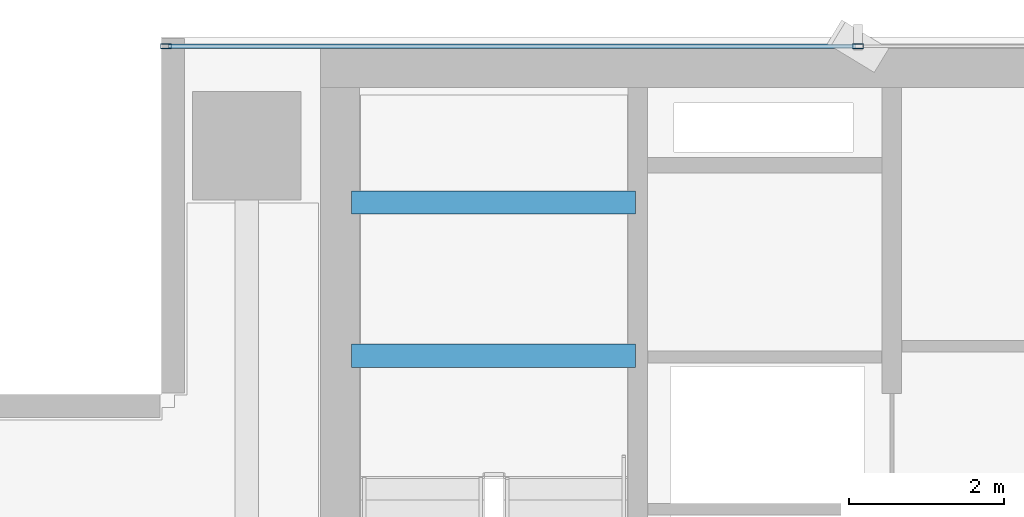
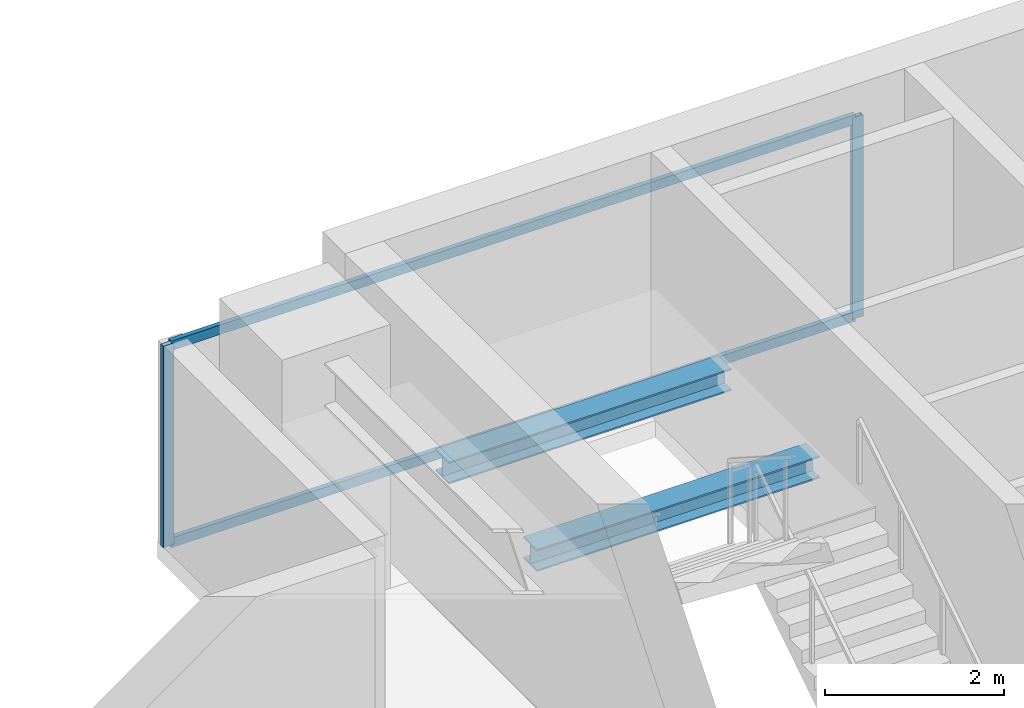
# One storey, part 15 of 26: 4 members, 2 beams, 1 element without a shape of its own.
"""IFC4 building model written with IfcOpenShell, lengths in metres."""

from ifc_helpers import new_model, si_unit, direction, frame, origin, origin_2d, place, context, subcontext, project, spatial, hollow_rectangle, i_section, extrude, source, transform, mapped, material, layer, layer_set, material_profile, profile_set, type_object, element, aggregate, save


model = new_model("IFC4")

# Units and contexts
model_context = context("Model", 3, precision=1e-05, world=origin(), true_north=direction((0.0, 1.0)))
body_context = subcontext(model_context, "Body", "Model", "MODEL_VIEW")
ifc_project = project(units=[si_unit("LENGTHUNIT", "METRE"), si_unit("AREAUNIT", "SQUARE_METRE"), si_unit("VOLUMEUNIT", "CUBIC_METRE"), si_unit("PLANEANGLEUNIT", "RADIAN"), si_unit("MASSUNIT", "GRAM", prefix="KILO")], contexts=[model_context])

# Site, building, storey
site_placement = place(None, origin())
site = spatial("IfcSite", under=ifc_project, at=site_placement, CompositionType="ELEMENT")
building_placement = place(site_placement, origin())
building = spatial("IfcBuilding", under=site, at=building_placement, Name="Sumidabori Civic Tower", CompositionType="ELEMENT")
storey_placement = place(building_placement, frame((0.0, 0.0, 250.39990234375)))
storey = spatial("IfcBuildingStorey", under=building, at=storey_placement, Name="L65", CompositionType="ELEMENT", Elevation=250.39990234375)

# Beams
ifc_material_1 = material(Name="Steel SN490", Category="steel")
ifc_material_profile_1 = material_profile(ifc_material_1, i_section(OverallWidth=0.300048828125, OverallDepth=0.300048828125, WebThickness=0.010986328125, FlangeThickness=0.01904296875, at=origin_2d()), Name="HE 300 B")
ifc_profile_set_1 = profile_set([ifc_material_profile_1], Name="Steel SN490")
beam_type = type_object("IfcBeamType", Name="BM-LDG-300", PredefinedType="BEAM", material=ifc_profile_set_1)
shared_shape_1 = source(origin(), body_context, "Body", "SweptSolid", [
    extrude(i_section(OverallWidth=0.300048828125, OverallDepth=0.300048828125, WebThickness=0.010986328125, FlangeThickness=0.01904296875, at=origin_2d()), origin(), (0.0, 0.0, 1.0), 3.64990234375),
])
for number, where, z_axis, x_axis, name in (
    (1, (-15.449951171875, 20.09765625, 1.4501953125), (1.0, 0.0, 0.0), (0.0, 1.0, 0.0), "Stair ST-1 Landing Support Beam L65-1A"),
    (2, (-15.449951171875, 22.069580078125, 1.4501953125), (1.0, 0.0, 0.0), (0.0, 1.0, 0.0), "Stair ST-1 Landing Trimmer Beam L65-1B"),
):
    element("IfcBeam", number, at=place(storey_placement, frame(where, z_axis=z_axis, x_axis=x_axis)), inside=storey, type_object=beam_type, Name=name, PredefinedType="BEAM", context=body_context, shape_type="MappedRepresentation", body=[
        mapped(shared_shape_1, transform((0.0, 0.0, 0.0), x_axis=(1.0, 0.0, 0.0), y_axis=(0.0, 1.0, 0.0), z_axis=(0.0, 0.0, 1.0), scale=1.0)),
    ])

# Curtain wall, members
ifc_material_2 = material(Name="Anodised Bronze Aluminium AW-6063-T6", Category="aluminium")
ifc_layer = layer(ifc_material_2, 0.179931640625, Name="Anodised Bronze Aluminium AW-6063-T6")
ifc_layer_set = layer_set([ifc_layer], Name="Anodised Bronze Aluminium AW-6063-T6")
curtain_wall_type = type_object("IfcCurtainWallType", Name="CW-SYS-5", PredefinedType="NOTDEFINED", material=ifc_layer_set)
curtain_wall_placement = place(storey_placement, origin())
curtain_wall = element("IfcCurtainWall", 3, at=curtain_wall_placement, inside=storey, type_object=curtain_wall_type, Name="Curtain Wall CW:L65:R07", PredefinedType="NOTDEFINED")
ifc_material_profile_2 = material_profile(ifc_material_2, hollow_rectangle(XDim=0.06005859375, YDim=0.139892578125, WallThickness=0.0048828125, at=origin_2d()), Name="ALU MULLION 140x60")
ifc_profile_set_2 = profile_set([ifc_material_profile_2], Name="Anodised Bronze Aluminium AW-6063-T6")
member_type_1 = type_object("IfcMemberType", Name="CW-MUL-140", PredefinedType="MULLION", material=ifc_profile_set_2)
shared_shape_2 = source(origin(), body_context, "Body", "SweptSolid", [
    extrude(hollow_rectangle(XDim=0.06005859375, YDim=0.139892578125, WallThickness=0.0048828125, at=origin_2d()), origin(), (0.0, 0.0, 1.0), 2.75),
])
member_1_placement = place(storey_placement, frame((-8.93505859375, 24.080078125, 0.0), z_axis=(0.0, 0.0, 1.0), x_axis=(0.0, -1.0, 0.0)))
member_1 = element("IfcMember", 4, at=member_1_placement, type_object=member_type_1, Name="CW-5 mullion 4", PredefinedType="MULLION", context=body_context, shape_type="MappedRepresentation", body=[
    mapped(shared_shape_2, transform((0.0, 0.0, 0.0), x_axis=(1.0, 0.0, 0.0), y_axis=(0.0, 1.0, 0.0), z_axis=(0.0, 0.0, 1.0), scale=1.0)),
])
member_2_placement = place(storey_placement, frame((-17.840087890625, 24.080078125, 0.0), z_axis=(0.0, 0.0, 1.0), x_axis=(0.0, -1.0, 0.0)))
member_2 = element("IfcMember", 5, at=member_2_placement, type_object=member_type_1, Name="CW-5 mullion 5", PredefinedType="MULLION", context=body_context, shape_type="MappedRepresentation", body=[
    mapped(shared_shape_2, transform((0.0, 0.0, 0.0), x_axis=(1.0, 0.0, 0.0), y_axis=(0.0, 1.0, 0.0), z_axis=(0.0, 0.0, 1.0), scale=1.0)),
])
ifc_material_profile_3 = material_profile(ifc_material_2, hollow_rectangle(XDim=0.06005859375, YDim=0.1298828125, WallThickness=0.0048828125, at=origin_2d()), Name="ALU TRANSOM 130x60")
ifc_profile_set_3 = profile_set([ifc_material_profile_3], Name="Anodised Bronze Aluminium AW-6063-T6")
member_type_2 = type_object("IfcMemberType", Name="CW-TRN-130", PredefinedType="USERDEFINED", material=ifc_profile_set_3)
shared_shape_3 = source(origin(), body_context, "Body", "SweptSolid", [
    extrude(hollow_rectangle(XDim=0.06005859375, YDim=0.1298828125, WallThickness=0.0048828125, at=origin_2d()), origin(), (0.0, 0.0, 1.0), 8.844970703125),
])
member_3_placement = place(storey_placement, frame((-8.965087890625, 24.080078125, 0.030029296875), z_axis=(-1.0, 0.0, 0.0), x_axis=(0.0, -1.0, 0.0)))
member_3 = element("IfcMember", 6, at=member_3_placement, type_object=member_type_2, Name="CW-5 transom 4.1", ObjectType="TRANSOM", PredefinedType="USERDEFINED", context=body_context, shape_type="MappedRepresentation", body=[
    mapped(shared_shape_3, transform((0.0, 0.0, 0.0), x_axis=(1.0, 0.0, 0.0), y_axis=(0.0, 1.0, 0.0), z_axis=(0.0, 0.0, 1.0), scale=1.0)),
])
member_4_placement = place(storey_placement, frame((-8.965087890625, 24.080078125, 2.72021484375), z_axis=(-1.0, 0.0, 0.0), x_axis=(0.0, -1.0, 0.0)))
member_4 = element("IfcMember", 7, at=member_4_placement, type_object=member_type_2, Name="CW-5 transom 4.2", ObjectType="TRANSOM", PredefinedType="USERDEFINED", context=body_context, shape_type="MappedRepresentation", body=[
    mapped(shared_shape_3, transform((0.0, 0.0, 0.0), x_axis=(1.0, 0.0, 0.0), y_axis=(0.0, 1.0, 0.0), z_axis=(0.0, 0.0, 1.0), scale=1.0)),
])
aggregate(curtain_wall, [member_1, member_2, member_3, member_4])

save(model, "model.ifc")
